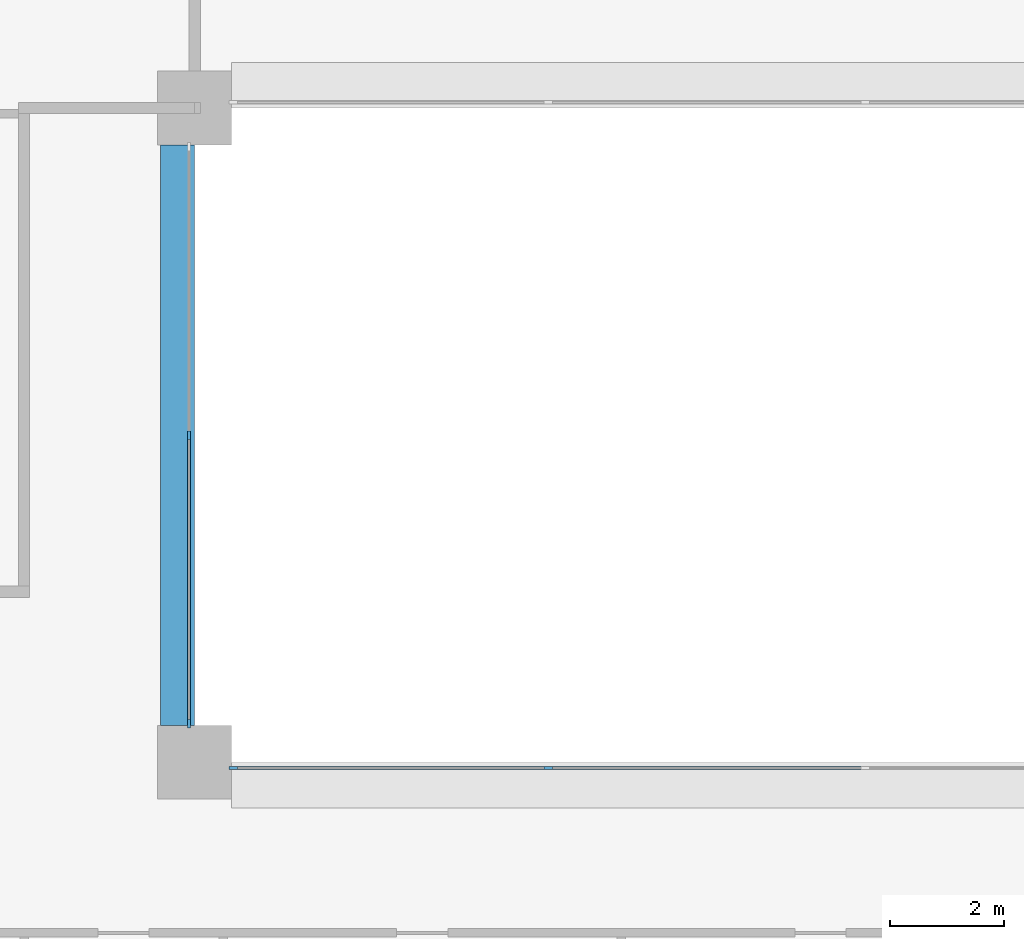
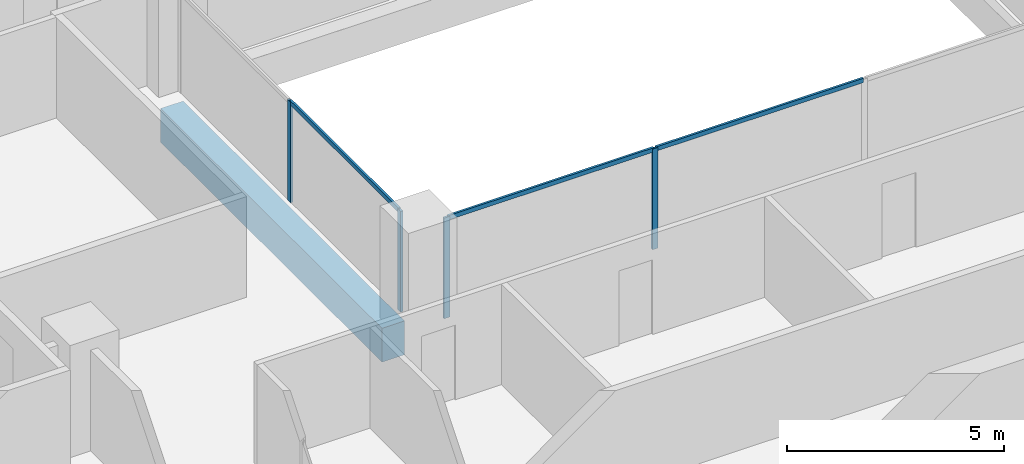
# One storey, part 2 of 16: 7 members, 1 beam, 2 elements without a shape of their own.
"""IFC4 building model written with IfcOpenShell, lengths in metres."""

from ifc_helpers import new_model, si_unit, direction, frame, origin, origin_2d, place, context, subcontext, project, spatial, rectangle, extrude, material, layer, layer_set, material_profile, profile_set, type_object, element, aggregate, save


model = new_model("IFC4")

# Units and contexts
model_context = context("Model", 3, precision=1e-05, world=origin(), true_north=direction((0.0, 1.0)))
body_context = subcontext(model_context, "Body", "Model", "MODEL_VIEW")
ifc_project = project(units=[si_unit("LENGTHUNIT", "METRE"), si_unit("AREAUNIT", "SQUARE_METRE"), si_unit("VOLUMEUNIT", "CUBIC_METRE"), si_unit("PLANEANGLEUNIT", "RADIAN"), si_unit("MASSUNIT", "GRAM", prefix="KILO")], contexts=[model_context])

# Site, building, storey
site_placement = place(None, origin())
site = spatial("IfcSite", under=ifc_project, at=site_placement, CompositionType="ELEMENT")
building_placement = place(site_placement, origin())
building = spatial("IfcBuilding", under=site, at=building_placement, Name="Brigalow Station Residences", CompositionType="ELEMENT")
storey_placement = place(building_placement, frame((0.0, 0.0, 124.5)))
storey = spatial("IfcBuildingStorey", under=building, at=storey_placement, Name="L36", CompositionType="ELEMENT", Elevation=124.5)

# Beam
ifc_material_1 = material(Name="Concrete C65", Category="concrete")
ifc_material_profile_1 = material_profile(ifc_material_1, rectangle(XDim=0.60009765625, YDim=0.949951171875, at=origin_2d()), Name="RC600x950")
ifc_profile_set_1 = profile_set([ifc_material_profile_1], Name="Concrete C65")
beam_type = type_object("IfcBeamType", Name="ATRIUM EDGE GIRDER 600x950 C65", PredefinedType="BEAM", material=ifc_profile_set_1)
beam_placement = place(storey_placement, frame((26.699951171875, 24.64990234375, -0.794921875), z_axis=(0.0, 1.0, 0.0), x_axis=(-1.0, 0.0, 0.0)))
element("IfcBeam", 1, at=beam_placement, inside=storey, type_object=beam_type, Name="ATRIUM EDGE GIRDER 3 L36", PredefinedType="BEAM", context=body_context, shape_type="SweptSolid", body=[
    extrude(rectangle(XDim=0.60009765625, YDim=0.949951171875, at=origin_2d()), origin(), (0.0, 0.0, 1.0), 10.2001953125),
])

# Curtain wall, members
ifc_material_2 = material(Name="Aluminium", Category="aluminium")
ifc_layer = layer(ifc_material_2, 0.14990234375)
ifc_layer_set = layer_set([ifc_layer], Name="ATRIUM FIRE-RATED GLAZING CURTAIN WALL")
curtain_wall_type = type_object("IfcCurtainWallType", Name="ATRIUM FIRE-RATED GLAZING CURTAIN WALL", PredefinedType="NOTDEFINED", material=ifc_layer_set)
curtain_wall_1_placement = place(storey_placement, origin())
curtain_wall_1 = element("IfcCurtainWall", 2, at=curtain_wall_1_placement, inside=storey, type_object=curtain_wall_type, Name="L36/cw/atrium-S", PredefinedType="NOTDEFINED")
ifc_material_3 = material(Name="Aluminium", Category="aluminium")
ifc_material_profile_2 = material_profile(ifc_material_3, rectangle(XDim=0.06005859375, YDim=0.14990234375, at=origin_2d()), Name="ATRIUM FIRE-RATED GLAZING MULLION 60x150")
ifc_profile_set_2 = profile_set([ifc_material_profile_2], Name="Aluminium")
member_type_1 = type_object("IfcMemberType", Name="ATRIUM FIRE-RATED GLAZING MULLION 60x150", PredefinedType="MULLION", material=ifc_profile_set_2)
member_1_placement = place(storey_placement, frame((27.679931640625, 23.89990234375, 0.0), z_axis=(0.0, 0.0, 1.0), x_axis=(0.0, 1.0, 0.0)))
member_1 = element("IfcMember", 3, at=member_1_placement, type_object=member_type_1, Name="L36/cw/atrium-S/M00", PredefinedType="MULLION", context=body_context, shape_type="SweptSolid", body=[
    extrude(rectangle(XDim=0.06005859375, YDim=0.14990234375, at=origin_2d()), origin(), (0.0, 0.0, 1.0), 2.830078125),
])
member_2_placement = place(storey_placement, frame((33.216796875, 23.89990234375, 0.0), z_axis=(0.0, 0.0, 1.0), x_axis=(0.0, 1.0, 0.0)))
member_2 = element("IfcMember", 4, at=member_2_placement, type_object=member_type_1, Name="L36/cw/atrium-S/M01", PredefinedType="MULLION", context=body_context, shape_type="SweptSolid", body=[
    extrude(rectangle(XDim=0.06005859375, YDim=0.14990234375, at=origin_2d()), origin(), (0.0, 0.0, 1.0), 2.830078125),
])

curtain_wall_2_placement = place(storey_placement, origin())
curtain_wall_2 = element("IfcCurtainWall", 5, at=curtain_wall_2_placement, inside=storey, type_object=curtain_wall_type, Name="L36/cw/atrium-W", PredefinedType="NOTDEFINED")
member_3_placement = place(storey_placement, frame((26.89990234375, 29.75, 0.0), z_axis=(0.0, 0.0, 1.0), x_axis=(1.0, 0.0, 0.0)))
member_3 = element("IfcMember", 6, at=member_3_placement, type_object=member_type_1, Name="L36/cw/atrium-W/M01", PredefinedType="MULLION", context=body_context, shape_type="SweptSolid", body=[
    extrude(rectangle(XDim=0.06005859375, YDim=0.14990234375, at=origin_2d()), origin(), (0.0, 0.0, 1.0), 2.830078125),
])
member_4_placement = place(storey_placement, frame((26.89990234375, 24.679931640625, 0.0), z_axis=(0.0, 0.0, 1.0), x_axis=(1.0, 0.0, 0.0)))
member_4 = element("IfcMember", 7, at=member_4_placement, type_object=member_type_1, Name="L36/cw/atrium-W/M02", PredefinedType="MULLION", context=body_context, shape_type="SweptSolid", body=[
    extrude(rectangle(XDim=0.06005859375, YDim=0.14990234375, at=origin_2d()), origin(), (0.0, 0.0, 1.0), 2.830078125),
])

# Member
ifc_material_4 = material(Name="Aluminium", Category="aluminium")
ifc_material_profile_3 = material_profile(ifc_material_4, rectangle(XDim=0.06005859375, YDim=0.1201171875, at=origin_2d()), Name="ATRIUM FIRE-RATED GLAZING TRANSOM 60x120")
ifc_profile_set_3 = profile_set([ifc_material_profile_3], Name="Aluminium")
member_type_2 = type_object("IfcMemberType", Name="ATRIUM FIRE-RATED GLAZING TRANSOM 60x120", PredefinedType="USERDEFINED", material=ifc_profile_set_3)
member_5_placement = place(storey_placement, frame((27.7099609375, 23.89990234375, 2.800048828125), z_axis=(1.0, 0.0, 0.0), x_axis=(0.0, 1.0, 0.0)))
member_5 = element("IfcMember", 8, at=member_5_placement, type_object=member_type_2, Name="L36/cw/atrium-S/T00-00", ObjectType="TRANSOM", PredefinedType="USERDEFINED", context=body_context, shape_type="SweptSolid", body=[
    extrude(rectangle(XDim=0.06005859375, YDim=0.1201171875, at=origin_2d()), origin(), (0.0, 0.0, 1.0), 5.476806640625),
])

member_6_placement = place(storey_placement, frame((33.24658203125, 23.89990234375, 2.800048828125), z_axis=(1.0, 0.0, 0.0), x_axis=(0.0, 1.0, 0.0)))
member_6 = element("IfcMember", 9, at=member_6_placement, type_object=member_type_2, Name="L36/cw/atrium-S/T01-00", ObjectType="TRANSOM", PredefinedType="USERDEFINED", context=body_context, shape_type="SweptSolid", body=[
    extrude(rectangle(XDim=0.06005859375, YDim=0.1201171875, at=origin_2d()), origin(), (0.0, 0.0, 1.0), 5.5068359375),
])

aggregate(curtain_wall_1, [member_1, member_2, member_5, member_6])

member_7_placement = place(storey_placement, frame((26.89990234375, 29.719970703125, 2.800048828125), z_axis=(0.0, -1.0, 0.0), x_axis=(1.0, 0.0, 0.0)))
member_7 = element("IfcMember", 10, at=member_7_placement, type_object=member_type_2, Name="L36/cw/atrium-W/T01-00", ObjectType="TRANSOM", PredefinedType="USERDEFINED", context=body_context, shape_type="SweptSolid", body=[
    extrude(rectangle(XDim=0.06005859375, YDim=0.1201171875, at=origin_2d()), origin(), (0.0, 0.0, 1.0), 5.010009765625),
])

aggregate(curtain_wall_2, [member_3, member_4, member_7])

save(model, "model.ifc")
